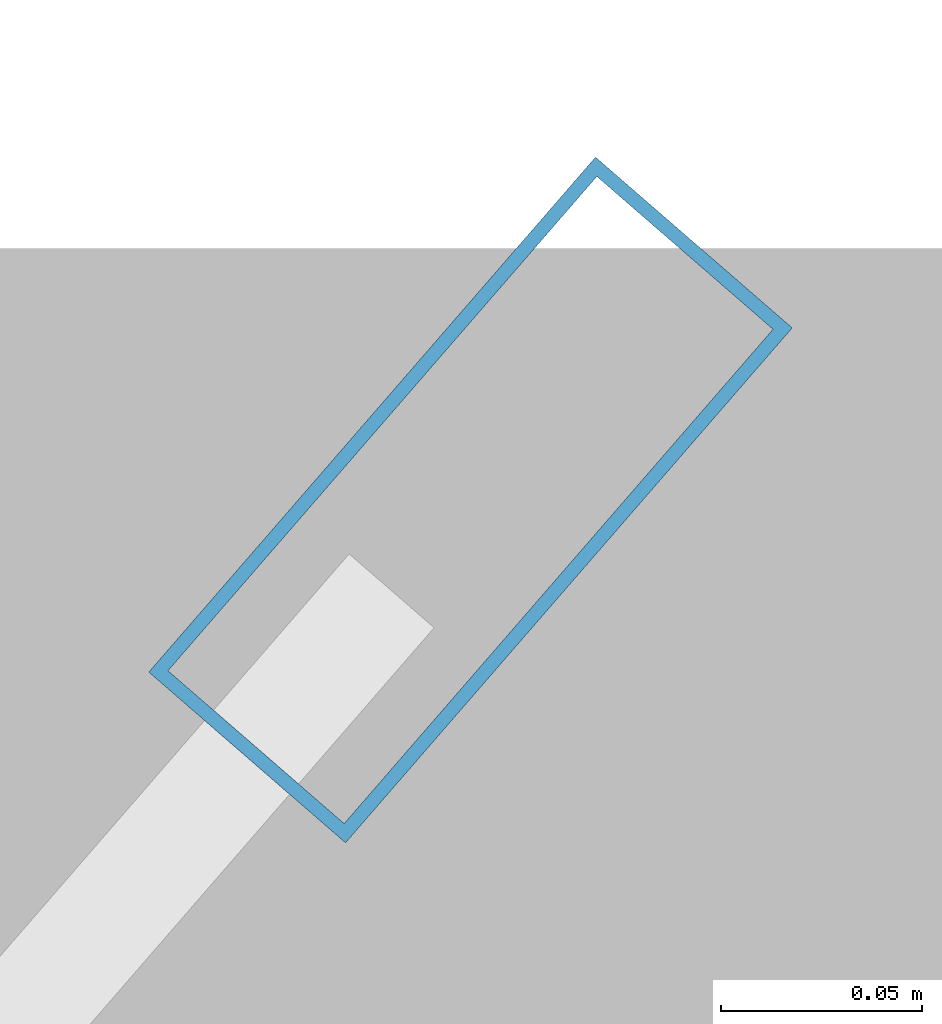
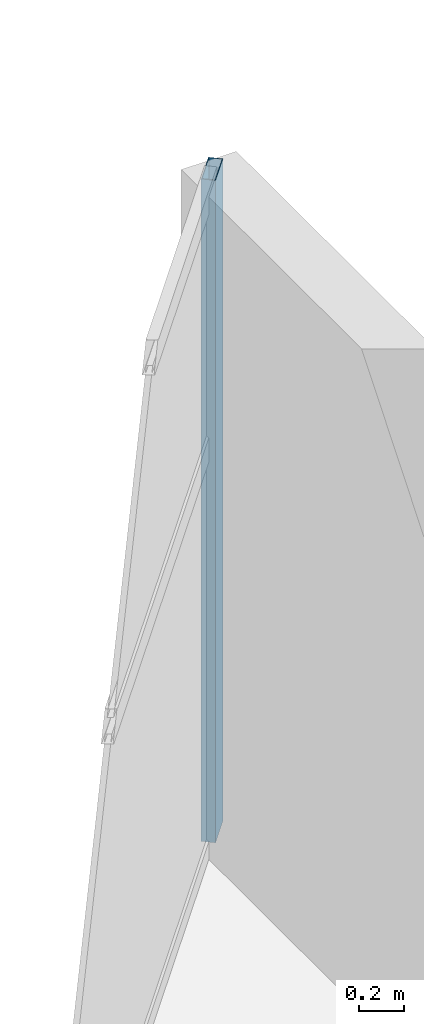
# One storey, part 22 of 29: 1 member, 1 element without a shape of its own.
"""IFC4 building model written with IfcOpenShell, lengths in metres."""

import ifcopenshell
import ifcopenshell.guid

model = None  # the IFC model being written
_history = None  # IfcOwnerHistory: only IFC2X3 demands one
_inside = {}  # id of a spatial element -> (the spatial element, [elements in it])
_under = {}  # id of a project, library or spatial element -> (it, [spatial elements below it])
_declared = {}  # id of a project -> (the project, [libraries it declares])
_typed = {}  # id of a type object -> (the type object, [elements of that type])
_made_of = {}  # id of a material, layer set ... -> (it, [elements and type objects made of it])


def new_model(schema):
    """Start an empty IFC model of exactly this schema.

    Asked for "IFC4X3", IfcOpenShell would pick the latest addendum, in which some entities
    have other attributes; the version numbers below select the first issue.
    IFC2X3 requires an IfcOwnerHistory on every rooted entity: one is made here for all.
    """
    global model, _history
    if schema == "IFC4X3":
        model = ifcopenshell.file(schema_version=(4, 3, 0, 0))
    else:
        model = ifcopenshell.file(schema=schema)
    _inside.clear()
    _under.clear()
    _declared.clear()
    _typed.clear()
    _made_of.clear()
    _history = None
    if model.schema == "IFC2X3":
        org = make("IfcOrganization", Name="unknown")
        user = make(
            "IfcPersonAndOrganization",
            ThePerson=make("IfcPerson", FamilyName="unknown"),
            TheOrganization=org,
        )
        app = make(
            "IfcApplication",
            ApplicationDeveloper=org,
            Version="unknown",
            ApplicationFullName="unknown",
            ApplicationIdentifier="unknown",
        )
        _history = make(
            "IfcOwnerHistory",
            OwningUser=user,
            OwningApplication=app,
            ChangeAction="ADDED",
            CreationDate=0,
        )
    return model


def make(cls, **values):
    """One entity of the class cls with the attributes given. An attribute that is None is left unset."""
    return model.create_entity(
        cls, **{name: value for name, value in values.items() if value is not None}
    )


def rooted(cls, **values):
    """An entity with a GlobalId (a new one), such as an element, a storey or a relation."""
    return make(cls, GlobalId=ifcopenshell.guid.new(), OwnerHistory=_history, **values)


def si_unit(unit_type, name, prefix=None):
    """IfcSIUnit, for example si_unit("LENGTHUNIT", "METRE", prefix="MILLI")."""
    return make("IfcSIUnit", UnitType=unit_type, Prefix=prefix, Name=name)


def assignment(units):
    """IfcUnitAssignment: the units of a project."""
    return None if units is None else make("IfcUnitAssignment", Units=units)


def point(xyz):
    """IfcCartesianPoint."""
    return None if xyz is None else make("IfcCartesianPoint", Coordinates=xyz)


def direction(xyz):
    """IfcDirection."""
    return None if xyz is None else make("IfcDirection", DirectionRatios=xyz)


def frame(location, z_axis=None, x_axis=None):
    """IfcAxis2Placement3D, a coordinate frame: its origin and axes. An axis left out is left unset."""
    return make(
        "IfcAxis2Placement3D",
        Location=point(location),
        Axis=direction(z_axis),
        RefDirection=direction(x_axis),
    )


def frame_2d(location, x_axis=None):
    """IfcAxis2Placement2D, a coordinate frame in the plane: its origin and x axis."""
    return make(
        "IfcAxis2Placement2D", Location=point(location), RefDirection=direction(x_axis)
    )


def origin():
    """The frame at (0, 0, 0) with its axes left unset."""
    return frame((0.0, 0.0, 0.0))


def origin_2d():
    """The frame at (0, 0) in the plane with its x axis left unset."""
    return frame_2d((0.0, 0.0))


def place(relative_to, where):
    """IfcLocalPlacement: puts the frame where relative to a parent placement (None: the world)."""
    return make(
        "IfcLocalPlacement", PlacementRelTo=relative_to, RelativePlacement=where
    )


def context(
    kind, dimensions, precision=None, world=None, true_north=None, identifier=None
):
    """IfcGeometricRepresentationContext, for example the 3D "Model" context."""
    return make(
        "IfcGeometricRepresentationContext",
        ContextIdentifier=identifier,
        ContextType=kind,
        CoordinateSpaceDimension=dimensions,
        Precision=precision,
        WorldCoordinateSystem=world,
        TrueNorth=true_north,
    )


def subcontext(parent, identifier, kind, view, scale=None):
    """IfcGeometricRepresentationSubContext, for example "Body" below "Model"."""
    return make(
        "IfcGeometricRepresentationSubContext",
        ContextIdentifier=identifier,
        ContextType=kind,
        ParentContext=parent,
        TargetScale=scale,
        TargetView=view,
    )


def project(units=None, contexts=None):
    """IfcProject with its units and contexts."""
    return rooted(
        "IfcProject",
        Name="project",
        RepresentationContexts=contexts,
        UnitsInContext=assignment(units),
    )


def spatial(cls, under=None, at=None, **own):
    """A site, building, storey or space (cls), placed at a placement, below another one or the project."""
    s = rooted(cls, ObjectPlacement=at, **own)
    if under is not None:
        _under.setdefault(under.id(), (under, []))[1].append(s)
    return s


def profile(cls, at=None, kind="AREA", **sizes):
    """A parametric profile (cls). Its sizes go by their IFC names, for example OverallWidth=200.0."""
    return make(cls, ProfileType=kind, Position=at, **sizes)


def hollow_rectangle(**sizes):
    """IfcRectangleHollowProfileDef."""
    return profile("IfcRectangleHollowProfileDef", **sizes)


def extrude(swept, where, along, depth):
    """IfcExtrudedAreaSolid: the profile swept, set in the frame where, extruded along a direction by depth."""
    return make(
        "IfcExtrudedAreaSolid",
        SweptArea=swept,
        Position=where,
        ExtrudedDirection=direction(along),
        Depth=depth,
    )


def shape(context_of_items, identifier, shape_type, items):
    """IfcShapeRepresentation: the items that make up one representation, for example the "Body"."""
    return make(
        "IfcShapeRepresentation",
        ContextOfItems=context_of_items,
        RepresentationIdentifier=identifier,
        RepresentationType=shape_type,
        Items=items,
    )


def material(Name=None, Category=None):
    """IfcMaterial."""
    return make("IfcMaterial", Name=Name, Category=Category)


def layer(
    of_material, thickness, ventilated=None, Name=None, Category=None, Priority=None
):
    """IfcMaterialLayer: one layer of a wall or slab, of a material (None: an air gap)."""
    return make(
        "IfcMaterialLayer",
        Material=of_material,
        LayerThickness=thickness,
        IsVentilated=ventilated,
        Name=Name,
        Category=Category,
        Priority=Priority,
    )


def layer_set(layers, Name=None):
    """IfcMaterialLayerSet."""
    return make("IfcMaterialLayerSet", MaterialLayers=layers, LayerSetName=Name)


def material_profile(
    of_material, cross_section, Name=None, Category=None, Priority=None
):
    """IfcMaterialProfile: a cross section and its material."""
    return make(
        "IfcMaterialProfile",
        Name=Name,
        Material=of_material,
        Profile=cross_section,
        Priority=Priority,
        Category=Category,
    )


def profile_set(profiles, Name=None, composite=None):
    """IfcMaterialProfileSet."""
    return make(
        "IfcMaterialProfileSet",
        Name=Name,
        MaterialProfiles=profiles,
        CompositeProfile=composite,
    )


def made_of(thing, what):
    """Note that an element or type object is made of a material, layer set ...; save() writes the relation."""
    if what is not None:
        _made_of.setdefault(what.id(), (what, []))[1].append(thing)
    return thing


def type_object(cls, material=None, **own):
    """A type object (cls), such as IfcWallType, which elements share."""
    return made_of(rooted(cls, **own), material)


def element(
    cls,
    number,
    at=None,
    inside=None,
    cuts=None,
    type_object=None,
    material=None,
    context=None,
    identifier="Body",
    shape_type=None,
    held_by="IfcProductDefinitionShape",
    body=None,
    shapes=None,
    **own,
):
    """One element of the class cls, such as IfcWall. Its Tag is "e" and its number.

    at: its placement. inside: the storey or other place that contains it. cuts: it is an
    opening in that element (IfcRelVoidsElement). A single representation is given by context,
    identifier, shape_type and body (its items); several are given by shapes. held_by: the class
    of the entity that holds the representations. save() writes the other relations.
    """
    e = rooted(cls, Tag="e%d" % number, ObjectPlacement=at, **own)
    if body is not None:
        shapes = [shape(context, identifier, shape_type, body)]
    if shapes is not None:
        e.Representation = make(held_by, Representations=shapes)
    if inside is not None:
        _inside.setdefault(inside.id(), (inside, []))[1].append(e)
    if cuts is not None:
        rooted(
            "IfcRelVoidsElement", RelatingBuildingElement=cuts, RelatedOpeningElement=e
        )
    if type_object is not None:
        _typed.setdefault(type_object.id(), (type_object, []))[1].append(e)
    return made_of(e, material)


def aggregate(whole, parts):
    """IfcRelAggregates: a whole, such as a stair, and the parts it consists of."""
    return rooted("IfcRelAggregates", RelatingObject=whole, RelatedObjects=parts)


def save(model, path):
    """Write the relations noted so far, then the file.

    IfcRelAggregates (storeys below a building ...), IfcRelContainedInSpatialStructure (elements
    in a storey), IfcRelDefinesByType, IfcRelAssociatesMaterial and IfcRelDeclares: one each for
    every whole, place, type object, material and project.
    """
    for whole, parts in _under.values():
        aggregate(whole, parts)
    for where, things in _inside.values():
        rooted(
            "IfcRelContainedInSpatialStructure",
            RelatedElements=things,
            RelatingStructure=where,
        )
    for kind, things in _typed.values():
        rooted("IfcRelDefinesByType", RelatedObjects=things, RelatingType=kind)
    for what, things in _made_of.values():
        rooted("IfcRelAssociatesMaterial", RelatedObjects=things, RelatingMaterial=what)
    for by, libraries in _declared.values():
        rooted("IfcRelDeclares", RelatingContext=by, RelatedDefinitions=libraries)
    model.write(path)


model = new_model("IFC4")

# Units and contexts
model_context = context("Model", 3, precision=1e-05, world=origin(), true_north=direction((0.0, 1.0)))
body_context = subcontext(model_context, "Body", "Model", "MODEL_VIEW")
ifc_project = project(units=[si_unit("LENGTHUNIT", "METRE"), si_unit("AREAUNIT", "SQUARE_METRE"), si_unit("VOLUMEUNIT", "CUBIC_METRE"), si_unit("PLANEANGLEUNIT", "RADIAN"), si_unit("MASSUNIT", "GRAM", prefix="KILO")], contexts=[model_context])

# Site, building, storey
site_placement = place(None, origin())
site = spatial("IfcSite", under=ifc_project, at=site_placement, CompositionType="ELEMENT")
building_placement = place(site_placement, origin())
building = spatial("IfcBuilding", under=site, at=building_placement, Name="Calvorn Quay Hotel", CompositionType="ELEMENT")
storey_placement = place(building_placement, frame((0.0, 0.0, 247.60009765625)))
storey = spatial("IfcBuildingStorey", under=building, at=storey_placement, Name="L61", CompositionType="ELEMENT", Elevation=247.60009765625)

# Curtain wall, member
ifc_material_1 = material(Name="Champagne Bronze Anodised Aluminium and Low-E Glass", Category="aluminium")
ifc_layer = layer(ifc_material_1, 0.219970703125)
ifc_layer_set = layer_set([ifc_layer], Name="CW-SYS-Z4")
curtain_wall_type = type_object("IfcCurtainWallType", Name="CW-SYS-Z4", PredefinedType="NOTDEFINED", material=ifc_layer_set)
curtain_wall_placement = place(storey_placement, origin())
curtain_wall = element("IfcCurtainWall", 1, at=curtain_wall_placement, inside=storey, type_object=curtain_wall_type, Name="Inner Court Curtain Wall L61-NE1", PredefinedType="NOTDEFINED")
ifc_material_2 = material(Name="Champagne Bronze Anodised Aluminium 6063-T6", Category="aluminium")
ifc_material_profile = material_profile(ifc_material_2, hollow_rectangle(XDim=0.06494140625, YDim=0.169921875, WallThickness=0.00341796875, at=origin_2d()), Name="ALU-M170x65x3.5")
ifc_profile_set = profile_set([ifc_material_profile], Name="Champagne Bronze Anodised Aluminium 6063-T6")
member_type = type_object("IfcMemberType", Name="CW-SYS-Z4-MUL", PredefinedType="MULLION", material=ifc_profile_set)
member_placement = place(storey_placement, frame((33.38037109375, 37.977294921875, 0.0), z_axis=(0.0, 0.0, 1.0), x_axis=(0.755322467304, -0.655353317216, 0.0)))
member = element("IfcMember", 2, at=member_placement, type_object=member_type, Name="CW-L61-NE1 mullion 1", PredefinedType="MULLION", context=body_context, shape_type="SweptSolid", body=[
    extrude(hollow_rectangle(XDim=0.06494140625, YDim=0.169921875, WallThickness=0.00341796875, at=origin_2d()), origin(), (0.0, 0.0, 1.0), 3.559814453125),
])
aggregate(curtain_wall, [member])

save(model, "model.ifc")
